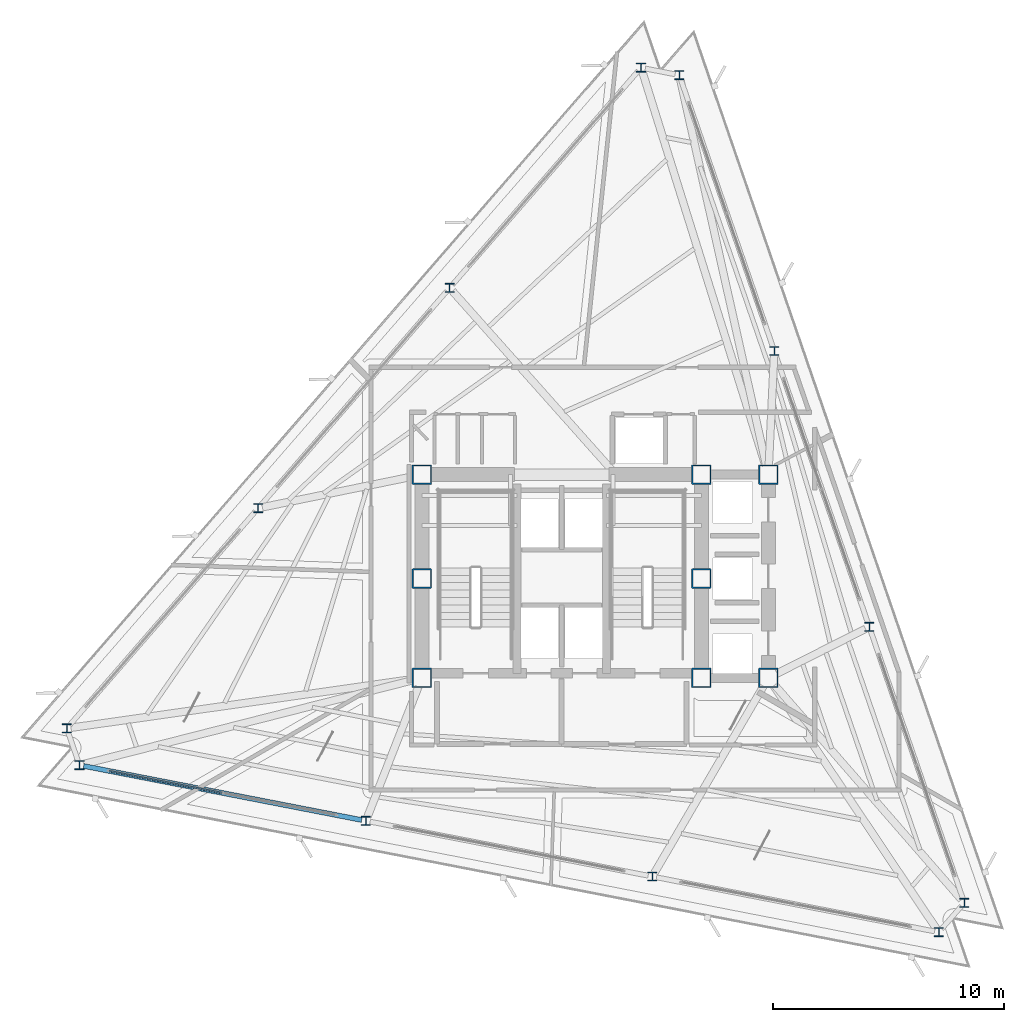
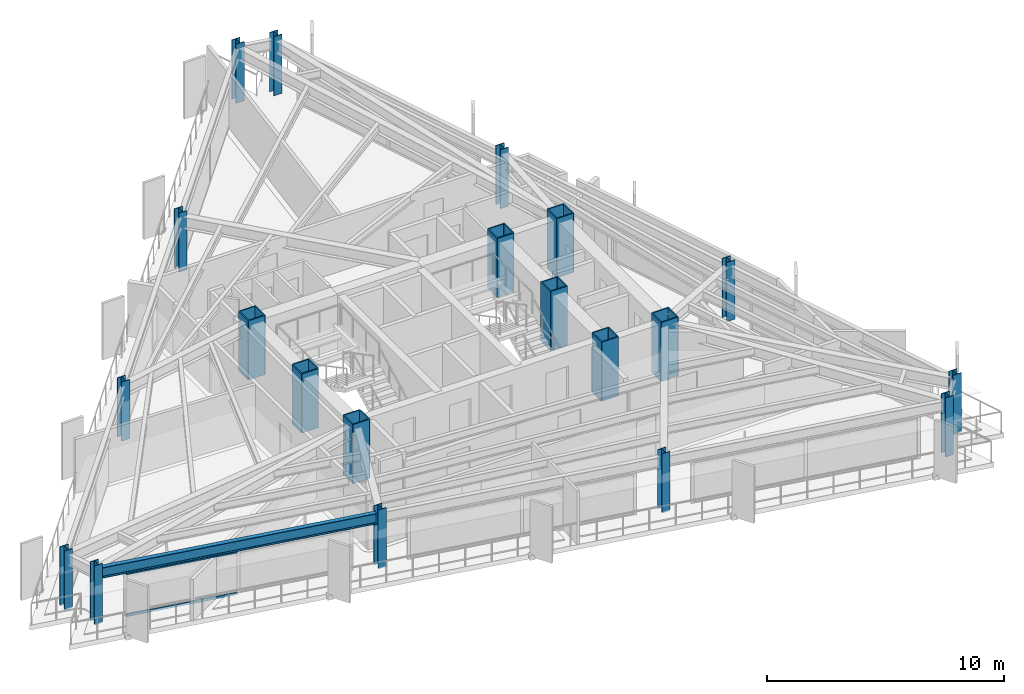
# One storey, part 1 of 13: 20 columns, 2 members, 1 beam, 1 element without a shape of its own.
"""IFC4 building model written with IfcOpenShell, lengths in metres."""

from ifc_helpers import new_model, si_unit, direction, frame, origin, origin_2d, place, context, subcontext, project, spatial, rectangle, hollow_rectangle, i_section, extrude, material, layer, layer_set, material_profile, profile_set, type_object, element, aggregate, save


model = new_model("IFC4")

# Units and contexts
model_context = context("Model", 3, precision=1e-05, world=origin(), true_north=direction((0.0, 1.0)))
body_context = subcontext(model_context, "Body", "Model", "MODEL_VIEW")
ifc_project = project(units=[si_unit("LENGTHUNIT", "METRE"), si_unit("AREAUNIT", "SQUARE_METRE"), si_unit("VOLUMEUNIT", "CUBIC_METRE"), si_unit("PLANEANGLEUNIT", "RADIAN"), si_unit("MASSUNIT", "GRAM", prefix="KILO")], contexts=[model_context])

# Site, building, storey
site_placement = place(None, origin())
site = spatial("IfcSite", under=ifc_project, at=site_placement, CompositionType="ELEMENT")
building_placement = place(site_placement, origin())
building = spatial("IfcBuilding", under=site, at=building_placement, Name="Rocaltana Carrier Exchange", CompositionType="ELEMENT")
storey_placement = place(building_placement, frame((0.0, 0.0, 162.39990234375)))
storey = spatial("IfcBuildingStorey", under=building, at=storey_placement, Name="L51", CompositionType="ELEMENT", Elevation=162.39990234375)

# Columns
ifc_material_1 = material(Name="Steel S460", Category="steel")
ifc_material_profile_1 = material_profile(ifc_material_1, hollow_rectangle(XDim=0.85009765625, YDim=0.85009765625, WallThickness=0.054931640625, InnerFilletRadius=0.02001953125, OuterFilletRadius=0.0400390625, at=origin_2d()), Name="BOX850X850X55")
ifc_profile_set_1 = profile_set([ifc_material_profile_1], Name="Steel S460")
column_type_1 = type_object("IfcColumnType", Name="Core Mega-Column BOX850", PredefinedType="COLUMN", material=ifc_profile_set_1)
for number, where, z_axis, x_axis, name in (
    (1, (-6.050048828125, 4.5, 0.0), (0.0, 0.0, 1.0), (1.0, 0.0, 0.0), "L51 Core Mega-Column MC1"),
    (2, (6.050048828125, 4.5, 0.0), (0.0, 0.0, 1.0), (1.0, 0.0, 0.0), "L51 Core Mega-Column MC2"),
    (3, (-6.050048828125, 0.0, 0.0), (0.0, 0.0, 1.0), (1.0, 0.0, 0.0), "L51 Core Mega-Column MC3"),
    (4, (6.050048828125, 0.0, 0.0), (0.0, 0.0, 1.0), (1.0, 0.0, 0.0), "L51 Core Mega-Column MC4"),
    (5, (-6.050048828125, -4.300048828125, 0.0), (0.0, 0.0, 1.0), (1.0, 0.0, 0.0), "L51 Core Mega-Column MC5"),
    (6, (6.050048828125, -4.300048828125, 0.0), (0.0, 0.0, 1.0), (1.0, 0.0, 0.0), "L51 Core Mega-Column MC6"),
    (7, (8.949951171875, 4.5, 0.0), (0.0, 0.0, 1.0), (1.0, 0.0, 0.0), "L51 East Core Column EC1"),
    (8, (8.949951171875, -4.300048828125, 0.0), (0.0, 0.0, 1.0), (1.0, 0.0, 0.0), "L51 East Core Column EC2"),
):
    element("IfcColumn", number, at=place(storey_placement, frame(where, z_axis=z_axis, x_axis=x_axis)), inside=storey, type_object=column_type_1, Name=name, PredefinedType="COLUMN", context=body_context, shape_type="SweptSolid", body=[
        extrude(hollow_rectangle(XDim=0.85009765625, YDim=0.85009765625, WallThickness=0.054931640625, InnerFilletRadius=0.02001953125, OuterFilletRadius=0.0400390625, at=origin_2d()), origin(), (0.0, 0.0, 1.0), 3.0400390625),
    ])
ifc_material_2 = material(Name="Steel S355", Category="steel")
ifc_material_profile_2 = material_profile(ifc_material_2, i_section(OverallWidth=0.39794921875, OverallDepth=0.386962890625, WebThickness=0.02099609375, FlangeThickness=0.033203125, FilletRadius=0.01806640625, at=origin_2d()), Name="W14X176")
ifc_profile_set_2 = profile_set([ifc_material_profile_2], Name="Steel S355")
column_type_2 = type_object("IfcColumnType", Name="Perimeter Column W14X176", PredefinedType="COLUMN", material=ifc_profile_set_2)
for number, where, z_axis, x_axis, name in (
    (9, (17.43408203125, -14.038818359375, 0.0), (0.0, 0.0, 1.0), (1.0, 0.0, 0.0), "L51 Perimeter Column TC01"),
    (10, (13.321044921875, -2.09375, 0.0), (0.0, 0.0, 1.0), (1.0, 0.0, 0.0), "L51 Perimeter Column TC02"),
    (11, (9.2080078125, 9.851318359375, 0.0), (0.0, 0.0, 1.0), (1.0, 0.0, 0.0), "L51 Perimeter Column TC03"),
    (12, (5.094970703125, 21.79638671875, 0.0), (0.0, 0.0, 1.0), (1.0, 0.0, 0.0), "L51 Perimeter Column TC04"),
    (13, (3.44091796875, 22.117919921875, 0.0), (0.0, 0.0, 1.0), (1.0, 0.0, 0.0), "L51 Perimeter Column TC05"),
    (14, (-4.84716796875, 12.583251953125, 0.0), (0.0, 0.0, 1.0), (1.0, 0.0, 0.0), "L51 Perimeter Column TC06"),
    (15, (-13.135498046875, 3.048828125, 0.0), (0.0, 0.0, 1.0), (1.0, 0.0, 0.0), "L51 Perimeter Column TC07"),
    (16, (-21.423583984375, -6.485595703125, 0.0), (0.0, 0.0, 1.0), (1.0, 0.0, 0.0), "L51 Perimeter Column TC08"),
    (17, (-20.875, -8.078857421875, 0.0), (0.0, 0.0, 1.0), (1.0, 0.0, 0.0), "L51 Perimeter Column TC09"),
    (18, (-8.473876953125, -10.489501953125, 0.0), (0.0, 0.0, 1.0), (1.0, 0.0, 0.0), "L51 Perimeter Column TC10"),
    (19, (3.927490234375, -12.89990234375, 0.0), (0.0, 0.0, 1.0), (1.0, 0.0, 0.0), "L51 Perimeter Column TC11"),
    (20, (16.32861328125, -15.310546875, 0.0), (0.0, 0.0, 1.0), (1.0, 0.0, 0.0), "L51 Perimeter Column TC12"),
):
    element("IfcColumn", number, at=place(storey_placement, frame(where, z_axis=z_axis, x_axis=x_axis)), inside=storey, type_object=column_type_2, Name=name, PredefinedType="COLUMN", context=body_context, shape_type="SweptSolid", body=[
        extrude(i_section(OverallWidth=0.39794921875, OverallDepth=0.386962890625, WebThickness=0.02099609375, FlangeThickness=0.033203125, FilletRadius=0.01806640625, at=origin_2d()), origin(), (0.0, 0.0, 1.0), 3.0400390625),
    ])

# Curtain wall, members
ifc_material_3 = material(Name="Aluminium 6063-T6", Category="aluminium")
ifc_layer = layer(ifc_material_3, 0.135009765625)
ifc_layer_set = layer_set([ifc_layer], Name="Aluminium 6063-T6")
curtain_wall_type = type_object("IfcCurtainWallType", Name="Upper-Mid Acoustic Curtain Wall CW-04", PredefinedType="NOTDEFINED", material=ifc_layer_set)
curtain_wall_placement = place(storey_placement, origin())
curtain_wall = element("IfcCurtainWall", 21, at=curtain_wall_placement, inside=storey, type_object=curtain_wall_type, Name="L51 CW-04 Run CW-L51-F3S1", PredefinedType="NOTDEFINED")
ifc_material_4 = material(Name="Aluminium 6063-T6", Category="aluminium")
ifc_material_profile_3 = material_profile(ifc_material_4, rectangle(XDim=0.06494140625, YDim=0.135009765625, at=origin_2d()), Name="AL-65X135")
ifc_profile_set_3 = profile_set([ifc_material_profile_3], Name="Aluminium 6063-T6")
member_type = type_object("IfcMemberType", Name="CW-04 Transom AL-65X135", PredefinedType="USERDEFINED", material=ifc_profile_set_3)
member_1_placement = place(storey_placement, frame((-19.584228515625, -8.329833984375, 0.03271484375), z_axis=(0.981633795462, -0.190774976365, 0.0), x_axis=(0.190774976365, 0.981633795462, 0.0)))
member_1 = element("IfcMember", 22, at=member_1_placement, type_object=member_type, Name="CW-04 transom 1.1", ObjectType="TRANSOM", PredefinedType="USERDEFINED", context=body_context, shape_type="SweptSolid", body=[
    extrude(rectangle(XDim=0.06494140625, YDim=0.135009765625, at=origin_2d()), origin(), (0.0, 0.0, 1.0), 4.96923828125),
])
member_2_placement = place(storey_placement, frame((-19.584228515625, -8.329833984375, 2.185546875), z_axis=(0.981633795462, -0.190774976365, 0.0), x_axis=(0.190774976365, 0.981633795462, 0.0)))
member_2 = element("IfcMember", 23, at=member_2_placement, type_object=member_type, Name="CW-04 transom 1.2", ObjectType="TRANSOM", PredefinedType="USERDEFINED", context=body_context, shape_type="SweptSolid", body=[
    extrude(rectangle(XDim=0.06494140625, YDim=0.135009765625, at=origin_2d()), origin(), (0.0, 0.0, 1.0), 4.96923828125),
])
aggregate(curtain_wall, [member_1, member_2])

# Beam
ifc_material_5 = material(Name="Steel S355", Category="steel")
ifc_material_profile_4 = material_profile(ifc_material_5, i_section(OverallWidth=0.2119140625, OverallDepth=0.5439453125, WebThickness=0.01318359375, FlangeThickness=0.021240234375, FilletRadius=0.014892578125, at=origin_2d()), Name="W21X83")
ifc_profile_set_4 = profile_set([ifc_material_profile_4], Name="Steel S355")
beam_type = type_object("IfcBeamType", Name="Spandrel Edge Beam W21X83", PredefinedType="SPANDREL", material=ifc_profile_set_4)
beam_placement = place(storey_placement, frame((-20.693115234375, -8.1142578125, 2.51611328125), z_axis=(0.981626164488, -0.190814237394, 0.0), x_axis=(0.190814237394, 0.981626164488, 0.0)))
element("IfcBeam", 24, at=beam_placement, inside=storey, type_object=beam_type, Name="SP-L51-09", PredefinedType="SPANDREL", context=body_context, shape_type="SweptSolid", body=[
    extrude(i_section(OverallWidth=0.2119140625, OverallDepth=0.5439453125, WebThickness=0.01318359375, FlangeThickness=0.021240234375, FilletRadius=0.014892578125, at=origin_2d()), origin(), (0.0, 0.0, 1.0), 12.262451171875),
])

save(model, "model.ifc")
